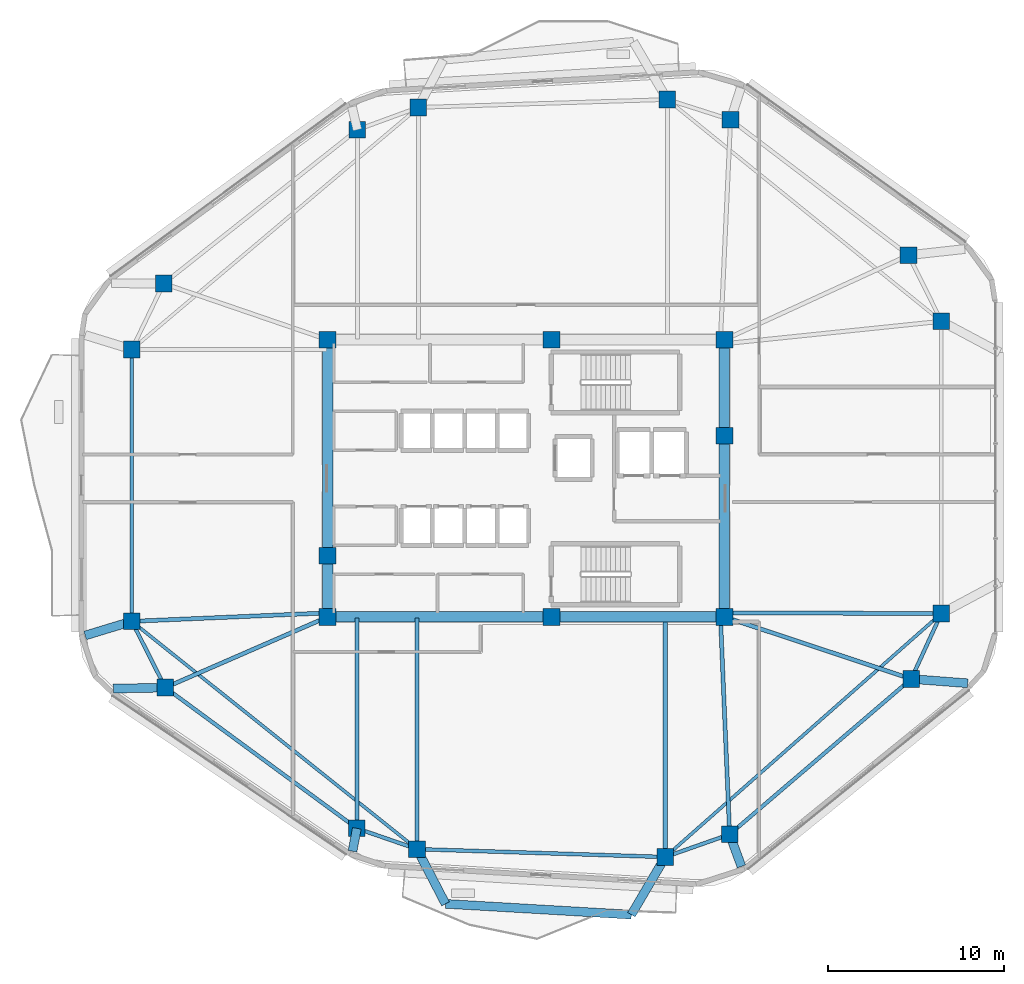
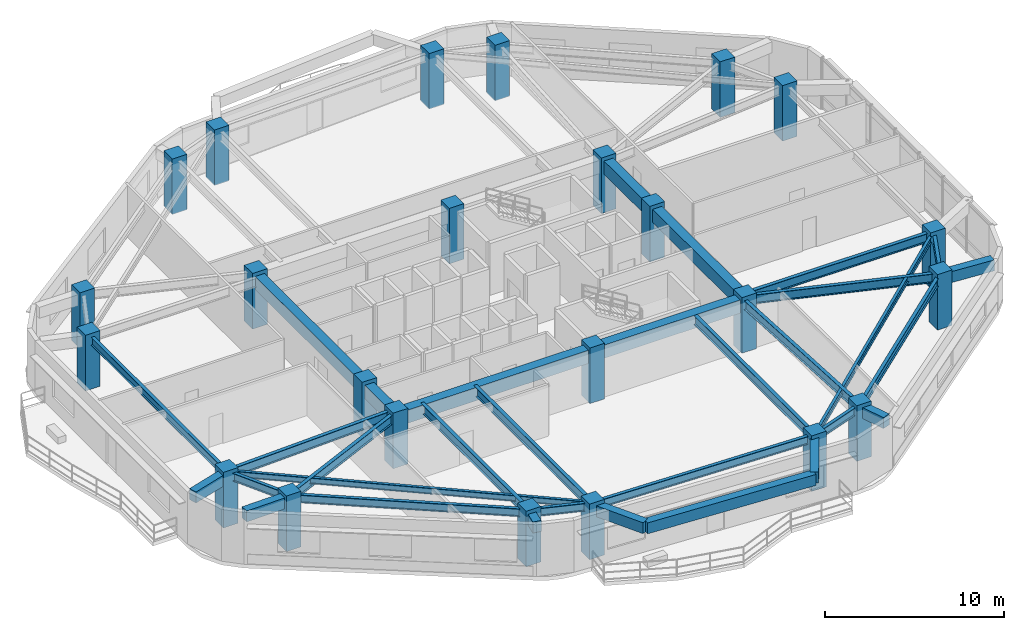
# One storey, part 1 of 14: 32 beams, 24 columns.
"""IFC4 building model written with IfcOpenShell, lengths in metres."""

from ifc_helpers import new_model, si_unit, direction, frame, origin, origin_2d, place, context, subcontext, project, spatial, rectangle, i_section, extrude, material, material_profile, profile_set, type_object, element, save


model = new_model("IFC4")

# Units and contexts
model_context = context("Model", 3, precision=1e-05, world=origin(), true_north=direction((0.0, 1.0)))
body_context = subcontext(model_context, "Body", "Model", "MODEL_VIEW")
ifc_project = project(units=[si_unit("LENGTHUNIT", "METRE"), si_unit("AREAUNIT", "SQUARE_METRE"), si_unit("VOLUMEUNIT", "CUBIC_METRE"), si_unit("PLANEANGLEUNIT", "RADIAN"), si_unit("MASSUNIT", "GRAM", prefix="KILO")], contexts=[model_context])

# Site, building, storey
site_placement = place(None, origin())
site = spatial("IfcSite", under=ifc_project, at=site_placement, CompositionType="ELEMENT")
building_placement = place(site_placement, origin())
building = spatial("IfcBuilding", under=site, at=building_placement, Name="Zulverin Broadcast Headquarters", CompositionType="ELEMENT")
storey_placement = place(building_placement, frame((0.0, 0.0, 201.0)))
storey = spatial("IfcBuildingStorey", under=building, at=storey_placement, Name="L51", CompositionType="ELEMENT", Elevation=201.0)

# Columns
ifc_material_1 = material(Name="Concrete C50/60", Category="concrete")
ifc_material_profile_1 = material_profile(ifc_material_1, rectangle(XDim=0.949951171875, YDim=0.949951171875, at=origin_2d()), Name="Concrete C50/60", Category="concrete")
ifc_profile_set_1 = profile_set([ifc_material_profile_1], Name="Concrete C50/60")
column_type_1 = type_object("IfcColumnType", Name="COL-RC-950", PredefinedType="COLUMN", material=ifc_profile_set_1)
for number, where, z_axis, x_axis, name in (
    (1, (30.80859375, 4.12744140625, 0.0), (0.0, 0.0, 1.0), (1.0, 0.0, 0.0), "L51 Perimeter Column T01"),
    (2, (44.909912109375, 3.68017578125, 0.0), (0.0, 0.0, 1.0), (1.0, 0.0, 0.0), "L51 Perimeter Column T02"),
    (3, (48.569580078125, 4.967041015625, 0.0), (0.0, 0.0, 1.0), (1.0, 0.0, 0.0), "L51 Perimeter Column T03"),
    (4, (58.886962890625, 13.798095703125, 0.0), (0.0, 0.0, 1.0), (1.0, 0.0, 0.0), "L51 Perimeter Column T04"),
    (5, (60.60009765625, 17.519287109375, 0.0), (0.0, 0.0, 1.0), (1.0, 0.0, 0.0), "L51 Perimeter Column T05"),
    (6, (60.60009765625, 34.12158203125, 0.0), (0.0, 0.0, 1.0), (1.0, 0.0, 0.0), "L51 Perimeter Column T06"),
    (7, (58.738037109375, 37.877685546875, 0.0), (0.0, 0.0, 1.0), (1.0, 0.0, 0.0), "L51 Perimeter Column T07"),
    (8, (48.62158203125, 45.574951171875, 0.0), (0.0, 0.0, 1.0), (1.0, 0.0, 0.0), "L51 Perimeter Column T08"),
    (9, (45.027587890625, 46.7236328125, 0.0), (0.0, 0.0, 1.0), (1.0, 0.0, 0.0), "L51 Perimeter Column T09"),
    (10, (30.882080078125, 46.27490234375, 0.0), (0.0, 0.0, 1.0), (1.0, 0.0, 0.0), "L51 Perimeter Column T10"),
    (11, (27.416259765625, 45.00439453125, 0.0), (0.0, 0.0, 1.0), (1.0, 0.0, 0.0), "L51 Perimeter Column T11"),
    (12, (16.40869140625, 36.26806640625, 0.0), (0.0, 0.0, 1.0), (1.0, 0.0, 0.0), "L51 Perimeter Column T12"),
    (13, (14.60009765625, 32.523193359375, 0.0), (0.0, 0.0, 1.0), (1.0, 0.0, 0.0), "L51 Perimeter Column T13"),
    (14, (14.60009765625, 17.072021484375, 0.0), (0.0, 0.0, 1.0), (1.0, 0.0, 0.0), "L51 Perimeter Column T14"),
    (15, (16.50537109375, 13.306884765625, 0.0), (0.0, 0.0, 1.0), (1.0, 0.0, 0.0), "L51 Perimeter Column T15"),
    (16, (27.38720703125, 5.309814453125, 0.0), (0.0, 0.0, 1.0), (1.0, 0.0, 0.0), "L51 Perimeter Column T16"),
):
    element("IfcColumn", number, at=place(storey_placement, frame(where, z_axis=z_axis, x_axis=x_axis)), inside=storey, type_object=column_type_1, Name=name, PredefinedType="COLUMN", context=body_context, shape_type="SweptSolid", body=[
        extrude(rectangle(XDim=0.949951171875, YDim=0.949951171875, at=origin_2d()), origin(), (0.0, 0.0, 1.0), 3.800048828125),
    ])
ifc_material_profile_2 = material_profile(ifc_material_1, rectangle(XDim=0.949951171875, YDim=0.949951171875, at=origin_2d()), Name="Concrete C50/60", Category="concrete")
ifc_profile_set_2 = profile_set([ifc_material_profile_2], Name="Concrete C50/60")
column_type_2 = type_object("IfcColumnType", Name="PIL-RC-950", PredefinedType="PILASTER", material=ifc_profile_set_2)
for number, where, z_axis, x_axis, name in (
    (17, (25.72509765625, 17.324951171875, 0.0), (0.0, 0.0, 1.0), (1.0, 0.0, 0.0), "L51 Core Pilaster K01"),
    (18, (38.449951171875, 17.324951171875, 0.0), (0.0, 0.0, 1.0), (1.0, 0.0, 0.0), "L51 Core Pilaster K02"),
    (19, (48.27490234375, 17.324951171875, 0.0), (0.0, 0.0, 1.0), (1.0, 0.0, 0.0), "L51 Core Pilaster K03"),
    (20, (48.27490234375, 27.6201171875, 0.0), (0.0, 0.0, 1.0), (1.0, 0.0, 0.0), "L51 Core Pilaster K04"),
    (21, (48.27490234375, 33.074951171875, 0.0), (0.0, 0.0, 1.0), (1.0, 0.0, 0.0), "L51 Core Pilaster K05"),
    (22, (38.449951171875, 33.074951171875, 0.0), (0.0, 0.0, 1.0), (1.0, 0.0, 0.0), "L51 Core Pilaster K06"),
    (23, (25.72509765625, 33.074951171875, 0.0), (0.0, 0.0, 1.0), (1.0, 0.0, 0.0), "L51 Core Pilaster K07"),
    (24, (25.72509765625, 20.800048828125, 0.0), (0.0, 0.0, 1.0), (1.0, 0.0, 0.0), "L51 Core Pilaster K08"),
):
    element("IfcColumn", number, at=place(storey_placement, frame(where, z_axis=z_axis, x_axis=x_axis)), inside=storey, type_object=column_type_2, Name=name, PredefinedType="PILASTER", context=body_context, shape_type="SweptSolid", body=[
        extrude(rectangle(XDim=0.949951171875, YDim=0.949951171875, at=origin_2d()), origin(), (0.0, 0.0, 1.0), 3.800048828125),
    ])

# Beams
ifc_material_2 = material(Name="Concrete C60/75", Category="concrete")
ifc_material_profile_3 = material_profile(ifc_material_2, rectangle(XDim=0.60009765625, YDim=0.89990234375, at=origin_2d()), Name="Concrete C60/75", Category="concrete")
ifc_profile_set_3 = profile_set([ifc_material_profile_3], Name="Concrete C60/75")
beam_type_1 = type_object("IfcBeamType", Name="BM-CB-600x900", PredefinedType="LINTEL", material=ifc_profile_set_3)
beam_1_placement = place(storey_placement, frame((25.72509765625, 17.324951171875, 3.090087890625), z_axis=(1.0, 0.0, 0.0), x_axis=(0.0, 1.0, 0.0)))
element("IfcBeam", 25, at=beam_1_placement, inside=storey, type_object=beam_type_1, Name="L51 Core Coupling Girder K01-K02", PredefinedType="LINTEL", context=body_context, shape_type="SweptSolid", body=[
    extrude(rectangle(XDim=0.60009765625, YDim=0.89990234375, at=origin_2d()), origin(), (0.0, 0.0, 1.0), 12.724853515625),
])
beam_2_placement = place(storey_placement, frame((38.449951171875, 17.324951171875, 3.090087890625), z_axis=(1.0, 0.0, 0.0), x_axis=(0.0, 1.0, 0.0)))
element("IfcBeam", 26, at=beam_2_placement, inside=storey, type_object=beam_type_1, Name="L51 Core Coupling Girder K02-K03", PredefinedType="LINTEL", context=body_context, shape_type="SweptSolid", body=[
    extrude(rectangle(XDim=0.60009765625, YDim=0.89990234375, at=origin_2d()), origin(), (0.0, 0.0, 1.0), 9.824951171875),
])
beam_3_placement = place(storey_placement, frame((48.27490234375, 17.324951171875, 3.090087890625), z_axis=(0.0, 1.0, 0.0), x_axis=(-1.0, 0.0, 0.0)))
element("IfcBeam", 27, at=beam_3_placement, inside=storey, type_object=beam_type_1, Name="L51 Core Coupling Girder K03-K04", PredefinedType="LINTEL", context=body_context, shape_type="SweptSolid", body=[
    extrude(rectangle(XDim=0.60009765625, YDim=0.89990234375, at=origin_2d()), origin(), (0.0, 0.0, 1.0), 10.295166015625),
])
beam_4_placement = place(storey_placement, frame((48.27490234375, 27.6201171875, 3.090087890625), z_axis=(0.0, 1.0, 0.0), x_axis=(-1.0, 0.0, 0.0)))
element("IfcBeam", 28, at=beam_4_placement, inside=storey, type_object=beam_type_1, Name="L51 Core Coupling Girder K04-K05", PredefinedType="LINTEL", context=body_context, shape_type="SweptSolid", body=[
    extrude(rectangle(XDim=0.60009765625, YDim=0.89990234375, at=origin_2d()), origin(), (0.0, 0.0, 1.0), 5.454833984375),
])
beam_5_placement = place(storey_placement, frame((25.72509765625, 33.074951171875, 3.090087890625), z_axis=(0.0, -1.0, 0.0), x_axis=(1.0, 0.0, 0.0)))
element("IfcBeam", 29, at=beam_5_placement, inside=storey, type_object=beam_type_1, Name="L51 Core Coupling Girder K07-K08", PredefinedType="LINTEL", context=body_context, shape_type="SweptSolid", body=[
    extrude(rectangle(XDim=0.60009765625, YDim=0.89990234375, at=origin_2d()), origin(), (0.0, 0.0, 1.0), 12.27490234375),
])
beam_6_placement = place(storey_placement, frame((25.72509765625, 20.800048828125, 3.090087890625), z_axis=(0.0, -1.0, 0.0), x_axis=(1.0, 0.0, 0.0)))
element("IfcBeam", 30, at=beam_6_placement, inside=storey, type_object=beam_type_1, Name="L51 Core Coupling Girder K08-K01", PredefinedType="LINTEL", context=body_context, shape_type="SweptSolid", body=[
    extrude(rectangle(XDim=0.60009765625, YDim=0.89990234375, at=origin_2d()), origin(), (0.0, 0.0, 1.0), 3.47509765625),
])
ifc_material_3 = material(Name="Concrete C40/50", Category="concrete")
ifc_material_profile_4 = material_profile(ifc_material_3, rectangle(XDim=0.5, YDim=0.75, at=origin_2d()), Name="Concrete C40/50", Category="concrete")
ifc_profile_set_4 = profile_set([ifc_material_profile_4], Name="Concrete C40/50")
beam_type_2 = type_object("IfcBeamType", Name="BM-RC-500x750", PredefinedType="BEAM", material=ifc_profile_set_4)
beam_7_placement = place(storey_placement, frame((48.569580078125, 4.967041015625, 3.1650390625), z_axis=(0.345752020663, -0.938325924297, 0.0), x_axis=(0.938325924297, 0.345752020663, 0.0)))
element("IfcBeam", 31, at=beam_7_placement, inside=storey, type_object=beam_type_2, Name="L52 Plate Overhang Back-Spanned Beam OVR-03", PredefinedType="BEAM", context=body_context, shape_type="SweptSolid", body=[
    extrude(rectangle(XDim=0.5, YDim=0.75, at=origin_2d()), origin(), (0.0, 0.0, 1.0), 1.939697265625),
])
beam_8_placement = place(storey_placement, frame((58.886962890625, 13.798095703125, 3.1650390625), z_axis=(0.997102032175, -0.076075866292, 0.0), x_axis=(0.076075866292, 0.997102032175, 0.0)))
element("IfcBeam", 32, at=beam_8_placement, inside=storey, type_object=beam_type_2, Name="L52 Plate Overhang Back-Spanned Beam OVR-04", PredefinedType="BEAM", context=body_context, shape_type="SweptSolid", body=[
    extrude(rectangle(XDim=0.5, YDim=0.75, at=origin_2d()), origin(), (0.0, 0.0, 1.0), 3.21875),
])
beam_9_placement = place(storey_placement, frame((14.60009765625, 17.072021484375, 3.1650390625), z_axis=(-0.956887139521, -0.290459983853, 0.0), x_axis=(0.290459983853, -0.956887139521, 0.0)))
element("IfcBeam", 33, at=beam_9_placement, inside=storey, type_object=beam_type_2, Name="L52 Plate Overhang Back-Spanned Beam OVR-14", PredefinedType="BEAM", context=body_context, shape_type="SweptSolid", body=[
    extrude(rectangle(XDim=0.5, YDim=0.75, at=origin_2d()), origin(), (0.0, 0.0, 1.0), 2.76953125),
])
beam_10_placement = place(storey_placement, frame((16.50537109375, 13.306884765625, 3.1650390625), z_axis=(-0.999808645539, -0.019562011805, 0.0), x_axis=(0.019562011805, -0.999808645539, 0.0)))
element("IfcBeam", 34, at=beam_10_placement, inside=storey, type_object=beam_type_2, Name="L52 Plate Overhang Back-Spanned Beam OVR-15", PredefinedType="BEAM", context=body_context, shape_type="SweptSolid", body=[
    extrude(rectangle(XDim=0.5, YDim=0.75, at=origin_2d()), origin(), (0.0, 0.0, 1.0), 2.957763671875),
])
beam_11_placement = place(storey_placement, frame((27.38720703125, 5.309814453125, 3.1650390625), z_axis=(-0.186527092112, -0.982449817501, 0.0), x_axis=(0.982449817501, -0.186527092112, 0.0)))
element("IfcBeam", 35, at=beam_11_placement, inside=storey, type_object=beam_type_2, Name="L52 Plate Overhang Back-Spanned Beam OVR-16", PredefinedType="BEAM", context=body_context, shape_type="SweptSolid", body=[
    extrude(rectangle(XDim=0.5, YDim=0.75, at=origin_2d()), origin(), (0.0, 0.0, 1.0), 1.3232421875),
])
beam_12_placement = place(storey_placement, frame((30.80859375, 4.12744140625, 3.1650390625), z_axis=(0.461675200399, -0.887049045621, 0.0), x_axis=(0.887049045621, 0.461675200399, 0.0)))
element("IfcBeam", 36, at=beam_12_placement, inside=storey, type_object=beam_type_2, Name="L52 Balcony Column-Framed Cantilever BAL_S-1", PredefinedType="BEAM", context=body_context, shape_type="SweptSolid", body=[
    extrude(rectangle(XDim=0.5, YDim=0.75, at=origin_2d()), origin(), (0.0, 0.0, 1.0), 3.50390625),
])
beam_13_placement = place(storey_placement, frame((44.909912109375, 3.68017578125, 3.1650390625), z_axis=(-0.506708442368, -0.862117482964, 0.0), x_axis=(0.862117482964, -0.506708442368, 0.0)))
element("IfcBeam", 37, at=beam_13_placement, inside=storey, type_object=beam_type_2, Name="L52 Balcony Column-Framed Cantilever BAL_S-2", PredefinedType="BEAM", context=body_context, shape_type="SweptSolid", body=[
    extrude(rectangle(XDim=0.5, YDim=0.75, at=origin_2d()), origin(), (0.0, 0.0, 1.0), 3.800048828125),
])
beam_14_placement = place(storey_placement, frame((32.42626953125, 1.019287109375, 3.1650390625), z_axis=(0.998306540104, -0.058172605121, 0.0), x_axis=(0.058172605121, 0.998306540104, 0.0)))
element("IfcBeam", 38, at=beam_14_placement, inside=storey, type_object=beam_type_2, Name="L52 Balcony Outer Edge Trimmer Beam BAL_S", PredefinedType="BEAM", context=body_context, shape_type="SweptSolid", body=[
    extrude(rectangle(XDim=0.5, YDim=0.75, at=origin_2d()), origin(), (0.0, 0.0, 1.0), 10.575927734375),
])
ifc_material_4 = material(Name="Structural steel S355JR", Category="steel")
ifc_material_profile_5 = material_profile(ifc_material_4, i_section(OverallWidth=0.179443359375, OverallDepth=0.412841796875, WebThickness=0.009521484375, FlangeThickness=0.01611328125, at=origin_2d()), Name="Structural steel S355JR", Category="steel")
ifc_profile_set_5 = profile_set([ifc_material_profile_5], Name="Structural steel S355JR")
beam_type_3 = type_object("IfcBeamType", Name="BM-UB-406", PredefinedType="JOIST", material=ifc_profile_set_5)
beam_15_placement = place(storey_placement, frame((44.909912109375, 3.68017578125, 3.33349609375), z_axis=(0.74996043981, 0.661482682102, 0.0), x_axis=(-0.661482682102, 0.74996043981, 0.0)))
element("IfcBeam", 39, at=beam_15_placement, inside=storey, type_object=beam_type_3, Name="L51 Chordal Floor Joist J-01", PredefinedType="JOIST", context=body_context, shape_type="SweptSolid", body=[
    extrude(i_section(OverallWidth=0.179443359375, OverallDepth=0.412841796875, WebThickness=0.009521484375, FlangeThickness=0.01611328125, at=origin_2d()), origin(), (0.0, 0.0, 1.0), 20.92138671875),
])
beam_16_placement = place(storey_placement, frame((14.60009765625, 17.072021484375, 3.33349609375), z_axis=(0.781390996609, -0.624041753746, 0.0), x_axis=(0.624041753746, 0.781390996609, 0.0)))
element("IfcBeam", 40, at=beam_16_placement, inside=storey, type_object=beam_type_3, Name="L51 Chordal Floor Joist J-04", PredefinedType="JOIST", context=body_context, shape_type="SweptSolid", body=[
    extrude(i_section(OverallWidth=0.179443359375, OverallDepth=0.412841796875, WebThickness=0.009521484375, FlangeThickness=0.01611328125, at=origin_2d()), origin(), (0.0, 0.0, 1.0), 20.7431640625),
])
ifc_material_profile_6 = material_profile(ifc_material_4, i_section(OverallWidth=0.2119140625, OverallDepth=0.54443359375, WebThickness=0.0126953125, FlangeThickness=0.021240234375, at=origin_2d()), Name="Structural steel S355JR", Category="steel")
ifc_profile_set_6 = profile_set([ifc_material_profile_6], Name="Structural steel S355JR")
beam_type_4 = type_object("IfcBeamType", Name="BM-UB-533", PredefinedType="SPANDREL", material=ifc_profile_set_6)
beam_17_placement = place(storey_placement, frame((30.80859375, 4.12744140625, 3.267578125), z_axis=(0.999497363437, -0.031702058031, 0.0), x_axis=(0.031702058031, 0.999497363437, 0.0)))
element("IfcBeam", 41, at=beam_17_placement, inside=storey, type_object=beam_type_4, Name="L51 Perimeter Spandrel Beam SP-01", PredefinedType="SPANDREL", context=body_context, shape_type="SweptSolid", body=[
    extrude(i_section(OverallWidth=0.2119140625, OverallDepth=0.54443359375, WebThickness=0.0126953125, FlangeThickness=0.021240234375, at=origin_2d()), origin(), (0.0, 0.0, 1.0), 14.1083984375),
])
beam_18_placement = place(storey_placement, frame((44.909912109375, 3.68017578125, 3.267578125), z_axis=(0.943376593622, 0.331723684121, 0.0), x_axis=(-0.331723684121, 0.943376593622, 0.0)))
element("IfcBeam", 42, at=beam_18_placement, inside=storey, type_object=beam_type_4, Name="L51 Perimeter Spandrel Beam SP-02", PredefinedType="SPANDREL", context=body_context, shape_type="SweptSolid", body=[
    extrude(i_section(OverallWidth=0.2119140625, OverallDepth=0.54443359375, WebThickness=0.0126953125, FlangeThickness=0.021240234375, at=origin_2d()), origin(), (0.0, 0.0, 1.0), 3.87939453125),
])
beam_19_placement = place(storey_placement, frame((48.569580078125, 4.967041015625, 3.267578125), z_axis=(0.759708170965, 0.650264173217, 0.0), x_axis=(-0.650264173217, 0.759708170965, 0.0)))
element("IfcBeam", 43, at=beam_19_placement, inside=storey, type_object=beam_type_4, Name="L51 Perimeter Spandrel Beam SP-03", PredefinedType="SPANDREL", context=body_context, shape_type="SweptSolid", body=[
    extrude(i_section(OverallWidth=0.2119140625, OverallDepth=0.54443359375, WebThickness=0.0126953125, FlangeThickness=0.021240234375, at=origin_2d()), origin(), (0.0, 0.0, 1.0), 13.580810546875),
])
beam_20_placement = place(storey_placement, frame((58.886962890625, 13.798095703125, 3.267578125), z_axis=(0.418184975358, 0.90836189175, 0.0), x_axis=(-0.90836189175, 0.418184975358, 0.0)))
element("IfcBeam", 44, at=beam_20_placement, inside=storey, type_object=beam_type_4, Name="L51 Perimeter Spandrel Beam SP-04", PredefinedType="SPANDREL", context=body_context, shape_type="SweptSolid", body=[
    extrude(i_section(OverallWidth=0.2119140625, OverallDepth=0.54443359375, WebThickness=0.0126953125, FlangeThickness=0.021240234375, at=origin_2d()), origin(), (0.0, 0.0, 1.0), 4.0966796875),
])
beam_21_placement = place(storey_placement, frame((14.60009765625, 32.523193359375, 3.267578125), z_axis=(0.0, -1.0, 0.0), x_axis=(1.0, 0.0, 0.0)))
element("IfcBeam", 45, at=beam_21_placement, inside=storey, type_object=beam_type_4, Name="L51 Perimeter Spandrel Beam SP-13", PredefinedType="SPANDREL", context=body_context, shape_type="SweptSolid", body=[
    extrude(i_section(OverallWidth=0.2119140625, OverallDepth=0.54443359375, WebThickness=0.0126953125, FlangeThickness=0.021240234375, at=origin_2d()), origin(), (0.0, 0.0, 1.0), 15.451171875),
])
beam_22_placement = place(storey_placement, frame((14.60009765625, 17.072021484375, 3.267578125), z_axis=(0.451512947895, -0.892264567201, 0.0), x_axis=(0.892264567201, 0.451512947895, 0.0)))
element("IfcBeam", 46, at=beam_22_placement, inside=storey, type_object=beam_type_4, Name="L51 Perimeter Spandrel Beam SP-14", PredefinedType="SPANDREL", context=body_context, shape_type="SweptSolid", body=[
    extrude(i_section(OverallWidth=0.2119140625, OverallDepth=0.54443359375, WebThickness=0.0126953125, FlangeThickness=0.021240234375, at=origin_2d()), origin(), (0.0, 0.0, 1.0), 4.2197265625),
])
beam_23_placement = place(storey_placement, frame((16.50537109375, 13.306884765625, 3.267578125), z_axis=(0.805802234061, -0.592184734338, 0.0), x_axis=(0.592184734338, 0.805802234061, 0.0)))
element("IfcBeam", 47, at=beam_23_placement, inside=storey, type_object=beam_type_4, Name="L51 Perimeter Spandrel Beam SP-15", PredefinedType="SPANDREL", context=body_context, shape_type="SweptSolid", body=[
    extrude(i_section(OverallWidth=0.2119140625, OverallDepth=0.54443359375, WebThickness=0.0126953125, FlangeThickness=0.021240234375, at=origin_2d()), origin(), (0.0, 0.0, 1.0), 13.50439453125),
])
beam_24_placement = place(storey_placement, frame((27.38720703125, 5.309814453125, 3.267578125), z_axis=(0.945152732867, -0.326628705956, 0.0), x_axis=(0.326628705956, 0.945152732867, 0.0)))
element("IfcBeam", 48, at=beam_24_placement, inside=storey, type_object=beam_type_4, Name="L51 Perimeter Spandrel Beam SP-16", PredefinedType="SPANDREL", context=body_context, shape_type="SweptSolid", body=[
    extrude(i_section(OverallWidth=0.2119140625, OverallDepth=0.54443359375, WebThickness=0.0126953125, FlangeThickness=0.021240234375, at=origin_2d()), origin(), (0.0, 0.0, 1.0), 3.619873046875),
])
ifc_material_profile_7 = material_profile(ifc_material_4, i_section(OverallWidth=0.230224609375, OverallDepth=0.6171875, WebThickness=0.01318359375, FlangeThickness=0.022216796875, at=origin_2d()), Name="Structural steel S355JR", Category="steel")
ifc_profile_set_7 = profile_set([ifc_material_profile_7], Name="Structural steel S355JR")
beam_type_5 = type_object("IfcBeamType", Name="BM-UB-610", PredefinedType="BEAM", material=ifc_profile_set_7)
beam_25_placement = place(storey_placement, frame((30.80859375, 17.27490234375, 3.2314453125), z_axis=(0.0, -1.0, 0.0), x_axis=(1.0, 0.0, 0.0)))
element("IfcBeam", 49, at=beam_25_placement, inside=storey, type_object=beam_type_5, Name="L51 Radial Primary Floor Beam RB-01", PredefinedType="BEAM", context=body_context, shape_type="SweptSolid", body=[
    extrude(i_section(OverallWidth=0.230224609375, OverallDepth=0.6171875, WebThickness=0.01318359375, FlangeThickness=0.022216796875, at=origin_2d()), origin(), (0.0, 0.0, 1.0), 13.1474609375),
])
beam_26_placement = place(storey_placement, frame((44.909912109375, 17.27490234375, 3.2314453125), z_axis=(0.0, -1.0, 0.0), x_axis=(1.0, 0.0, 0.0)))
element("IfcBeam", 50, at=beam_26_placement, inside=storey, type_object=beam_type_5, Name="L51 Radial Primary Floor Beam RB-02", PredefinedType="BEAM", context=body_context, shape_type="SweptSolid", body=[
    extrude(i_section(OverallWidth=0.230224609375, OverallDepth=0.6171875, WebThickness=0.01318359375, FlangeThickness=0.022216796875, at=origin_2d()), origin(), (0.0, 0.0, 1.0), 13.5947265625),
])
beam_27_placement = place(storey_placement, frame((48.050048828125, 17.27490234375, 3.2314453125), z_axis=(0.042173778549, -0.99911029041, 0.0), x_axis=(0.99911029041, 0.042173778549, 0.0)))
element("IfcBeam", 51, at=beam_27_placement, inside=storey, type_object=beam_type_5, Name="L51 Radial Primary Floor Beam RB-03", PredefinedType="BEAM", context=body_context, shape_type="SweptSolid", body=[
    extrude(i_section(OverallWidth=0.230224609375, OverallDepth=0.6171875, WebThickness=0.01318359375, FlangeThickness=0.022216796875, at=origin_2d()), origin(), (0.0, 0.0, 1.0), 12.31884765625),
])
beam_28_placement = place(storey_placement, frame((48.27490234375, 17.324951171875, 3.2314453125), z_axis=(0.948964552547, -0.315382748432, 0.0), x_axis=(0.315382748432, 0.948964552547, 0.0)))
element("IfcBeam", 52, at=beam_28_placement, inside=storey, type_object=beam_type_5, Name="L51 Radial Primary Floor Beam RB-04", PredefinedType="BEAM", context=body_context, shape_type="SweptSolid", body=[
    extrude(i_section(OverallWidth=0.230224609375, OverallDepth=0.6171875, WebThickness=0.01318359375, FlangeThickness=0.022216796875, at=origin_2d()), origin(), (0.0, 0.0, 1.0), 11.182861328125),
])
beam_29_placement = place(storey_placement, frame((48.324951171875, 17.550048828125, 3.2314453125), z_axis=(0.999996859956, -0.002506008559, 0.0), x_axis=(0.002506008559, 0.999996859956, 0.0)))
element("IfcBeam", 53, at=beam_29_placement, inside=storey, type_object=beam_type_5, Name="L51 Radial Primary Floor Beam RB-05", PredefinedType="BEAM", context=body_context, shape_type="SweptSolid", body=[
    extrude(i_section(OverallWidth=0.230224609375, OverallDepth=0.6171875, WebThickness=0.01318359375, FlangeThickness=0.022216796875, at=origin_2d()), origin(), (0.0, 0.0, 1.0), 12.275146484375),
])
beam_30_placement = place(storey_placement, frame((25.675048828125, 17.550048828125, 3.2314453125), z_axis=(-0.999069780306, -0.043122779134, 0.0), x_axis=(0.043122779134, -0.999069780306, 0.0)))
element("IfcBeam", 54, at=beam_30_placement, inside=storey, type_object=beam_type_5, Name="L51 Radial Primary Floor Beam RB-14", PredefinedType="BEAM", context=body_context, shape_type="SweptSolid", body=[
    extrude(i_section(OverallWidth=0.230224609375, OverallDepth=0.6171875, WebThickness=0.01318359375, FlangeThickness=0.022216796875, at=origin_2d()), origin(), (0.0, 0.0, 1.0), 11.085205078125),
])
beam_31_placement = place(storey_placement, frame((25.72509765625, 17.324951171875, 3.2314453125), z_axis=(-0.916724690104, -0.39951951461, 0.0), x_axis=(0.39951951461, -0.916724690104, 0.0)))
element("IfcBeam", 55, at=beam_31_placement, inside=storey, type_object=beam_type_5, Name="L51 Radial Primary Floor Beam RB-15", PredefinedType="BEAM", context=body_context, shape_type="SweptSolid", body=[
    extrude(i_section(OverallWidth=0.230224609375, OverallDepth=0.6171875, WebThickness=0.01318359375, FlangeThickness=0.022216796875, at=origin_2d()), origin(), (0.0, 0.0, 1.0), 10.05712890625),
])
beam_32_placement = place(storey_placement, frame((27.38720703125, 17.27490234375, 3.2314453125), z_axis=(0.0, -1.0, 0.0), x_axis=(1.0, 0.0, 0.0)))
element("IfcBeam", 56, at=beam_32_placement, inside=storey, type_object=beam_type_5, Name="L51 Radial Primary Floor Beam RB-16", PredefinedType="BEAM", context=body_context, shape_type="SweptSolid", body=[
    extrude(i_section(OverallWidth=0.230224609375, OverallDepth=0.6171875, WebThickness=0.01318359375, FlangeThickness=0.022216796875, at=origin_2d()), origin(), (0.0, 0.0, 1.0), 11.965087890625),
])

save(model, "model.ifc")
